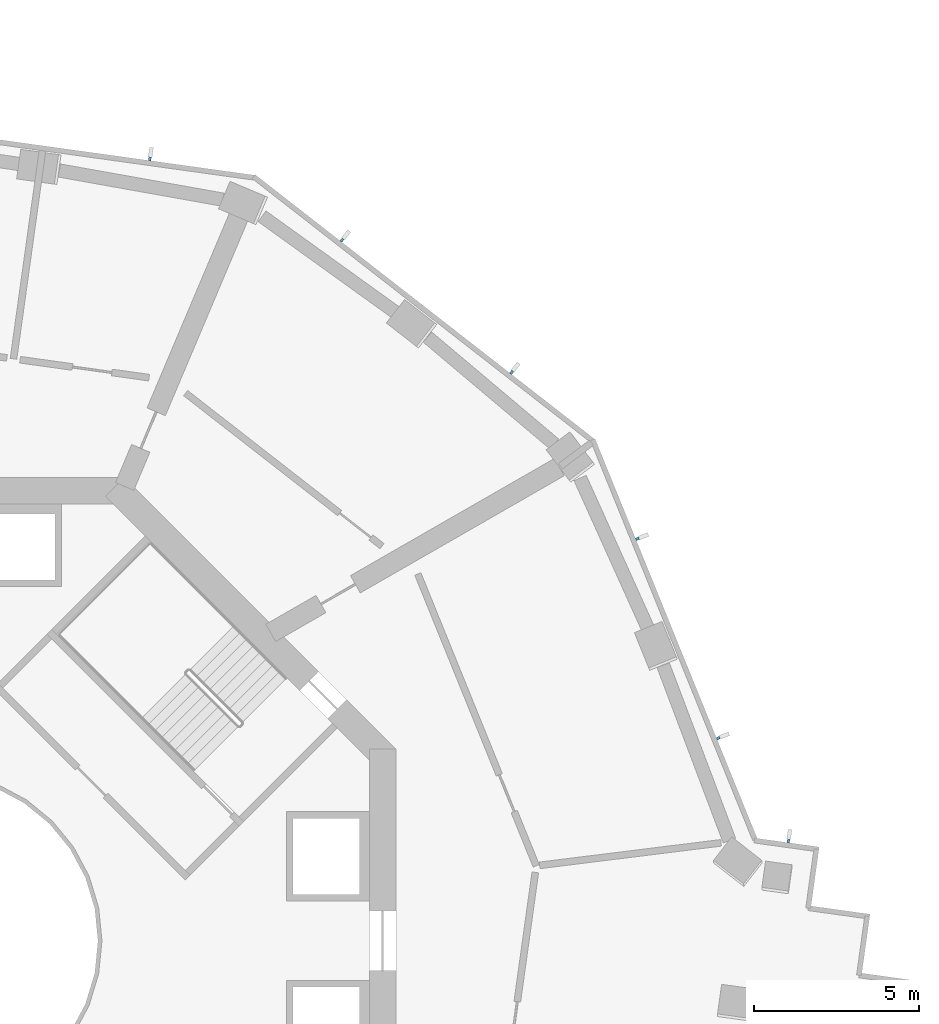
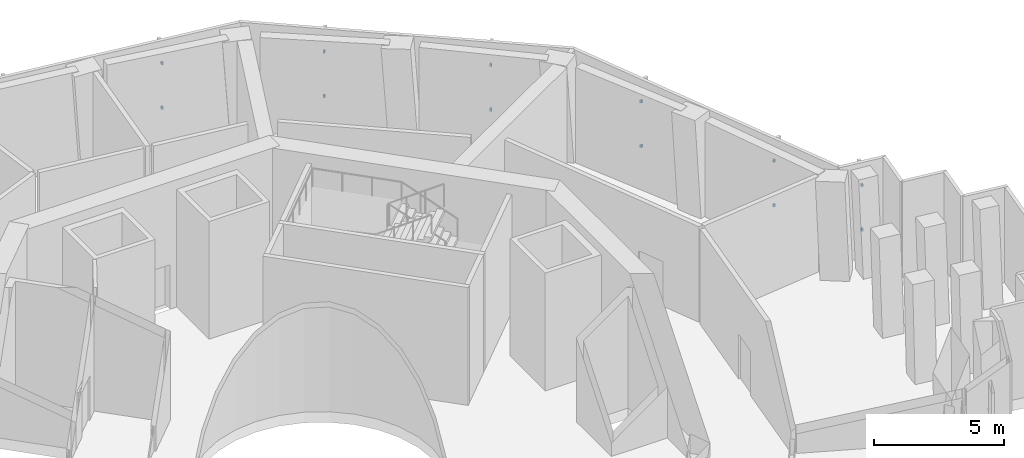
# One storey, part 11 of 17: 12 discrete accessories.
"""IFC4 building model written with IfcOpenShell, lengths in metres."""

from ifc_helpers import new_model, si_unit, direction, frame, origin, origin_2d, place, context, subcontext, project, spatial, rectangle, extrude, element, save


model = new_model("IFC4")

# Units and contexts
model_context = context("Model", 3, precision=1e-05, world=origin(), true_north=direction((0.0, 1.0)))
body_context = subcontext(model_context, "Body", "Model", "MODEL_VIEW")
ifc_project = project(units=[si_unit("LENGTHUNIT", "METRE"), si_unit("AREAUNIT", "SQUARE_METRE"), si_unit("VOLUMEUNIT", "CUBIC_METRE"), si_unit("PLANEANGLEUNIT", "RADIAN"), si_unit("MASSUNIT", "GRAM", prefix="KILO")], contexts=[model_context])

# Site, building, storey
site_placement = place(None, origin())
site = spatial("IfcSite", under=ifc_project, at=site_placement, CompositionType="ELEMENT")
building_placement = place(site_placement, origin())
building = spatial("IfcBuilding", under=site, at=building_placement, Name="Verdalira Terraces Hotel", CompositionType="ELEMENT")
storey_placement = place(building_placement, frame((0.0, 0.0, 122.0)))
storey = spatial("IfcBuildingStorey", under=building, at=storey_placement, Name="L29", CompositionType="ELEMENT", Elevation=122.0)

# Discrete accessories
for number, where, z_axis, x_axis, name in (
    (1, (25.867676, 3.014404, 1.139893), (0.0, 0.0, 1.0), (-0.990461426, 0.137790291, 0.0), "Fin bracket"),
    (2, (25.867676, 3.014404, 3.23999), (0.0, 0.0, 1.0), (-0.990461426, 0.137790291, 0.0), "Fin bracket"),
    (3, (23.747314, 6.125977, 1.139893), (0.0, 0.0, 1.0), (-0.375900821, 0.926659901, 0.0), "Fin bracket"),
    (4, (23.747314, 6.125977, 3.23999), (0.0, 0.0, 1.0), (-0.375900821, 0.926659901, 0.0), "Fin bracket"),
    (5, (21.303955, 12.14917, 1.139893), (0.0, 0.0, 1.0), (-0.375900821, 0.926659901, 0.0), "Fin bracket"),
    (6, (21.303955, 12.14917, 3.23999), (0.0, 0.0, 1.0), (-0.375900821, 0.926659901, 0.0), "Fin bracket"),
    (7, (17.502686, 17.178711, 1.139893), (0.0, 0.0, 1.0), (-0.788869611, 0.614560605, 0.0), "Fin bracket"),
    (8, (17.502686, 17.178711, 3.23999), (0.0, 0.0, 1.0), (-0.788869611, 0.614560605, 0.0), "Fin bracket"),
    (9, (12.375, 21.17334, 1.139893), (0.0, 0.0, 1.0), (-0.788869611, 0.614560605, 0.0), "Fin bracket"),
    (10, (12.375, 21.17334, 3.23999), (0.0, 0.0, 1.0), (-0.788869611, 0.614560605, 0.0), "Fin bracket"),
    (11, (6.568359, 23.628662, 1.139893), (0.0, 0.0, 1.0), (-0.990461426, 0.137790291, 0.0), "Fin bracket"),
    (12, (6.568359, 23.628662, 3.23999), (0.0, 0.0, 1.0), (-0.990461426, 0.137790291, 0.0), "Fin bracket"),
):
    element("IfcDiscreteAccessory", number, at=place(storey_placement, frame(where, z_axis=z_axis, x_axis=x_axis)), inside=storey, Name=name, PredefinedType="BRACKET", context=body_context, shape_type="SweptSolid", body=[
        extrude(rectangle(XDim=0.080078, YDim=0.100098, at=origin_2d()), origin(), (0.0, 0.0, 1.0), 0.120117),
    ])

save(model, "model.ifc")
